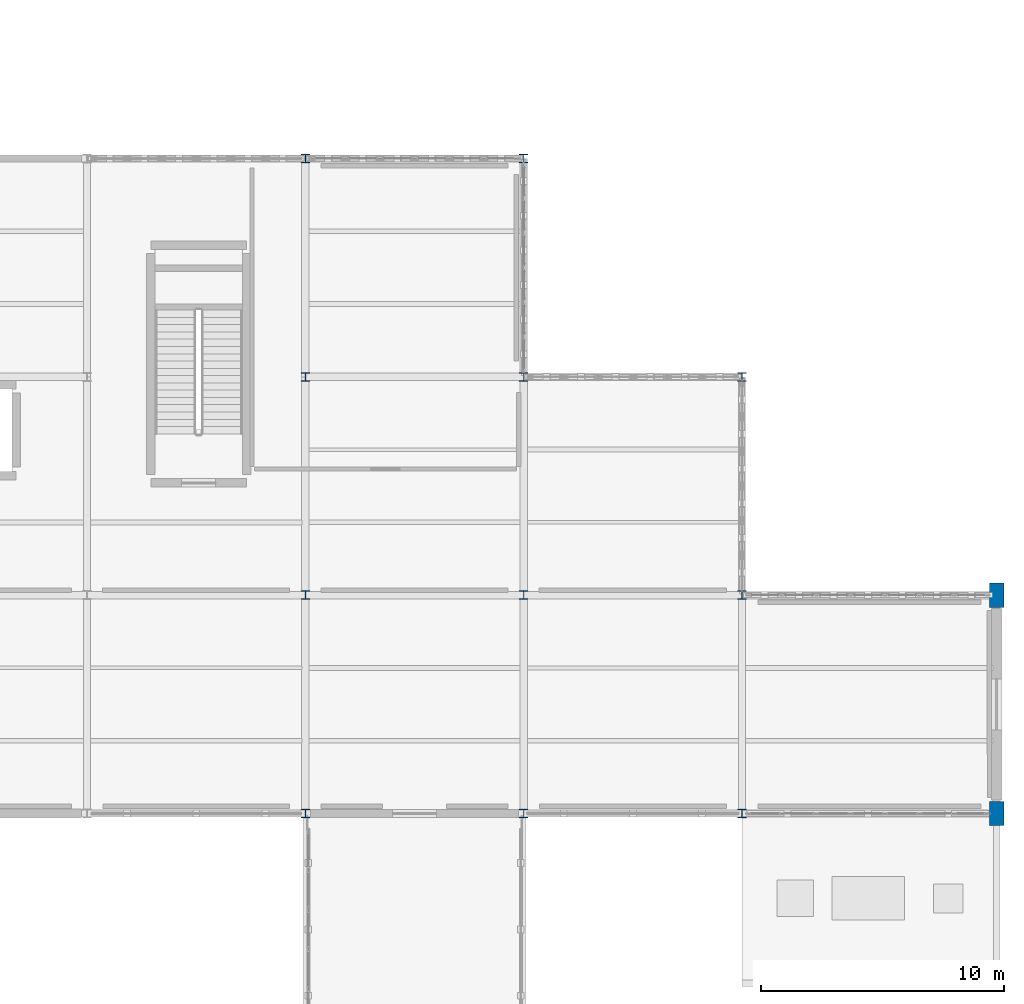
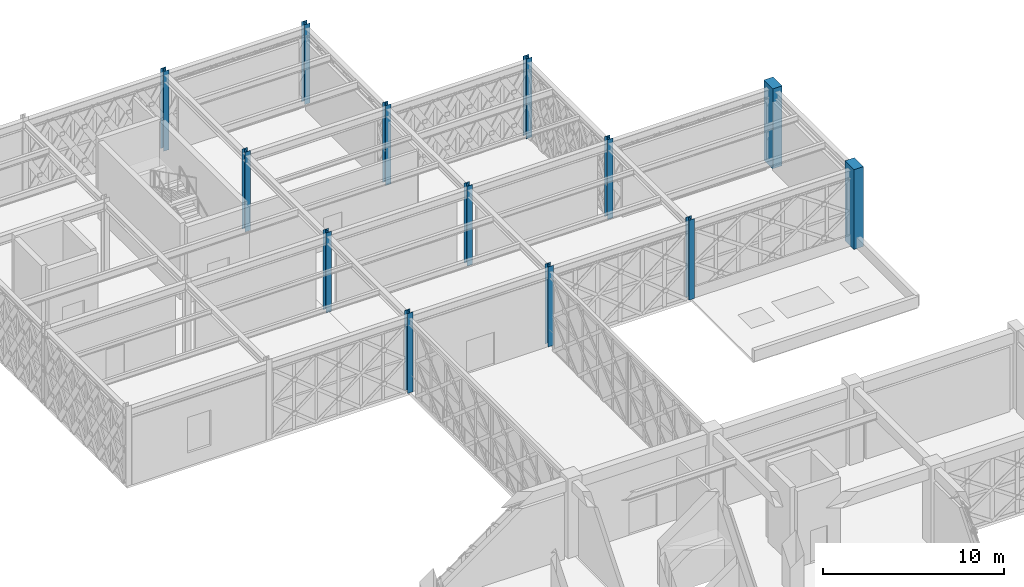
# One storey, part 6 of 166: 13 columns.
"""IFC4 building model written with IfcOpenShell, lengths in metres."""

from ifc_helpers import new_model, si_unit, direction, frame, origin, origin_2d, place, context, subcontext, project, spatial, rectangle, i_section, extrude, material, material_profile, profile_set, type_object, element, save


model = new_model("IFC4")

# Units and contexts
model_context = context("Model", 3, precision=1e-05, world=origin(), true_north=direction((0.0, 1.0)))
body_context = subcontext(model_context, "Body", "Model", "MODEL_VIEW")
ifc_project = project(units=[si_unit("LENGTHUNIT", "METRE"), si_unit("AREAUNIT", "SQUARE_METRE"), si_unit("VOLUMEUNIT", "CUBIC_METRE"), si_unit("PLANEANGLEUNIT", "RADIAN"), si_unit("MASSUNIT", "GRAM", prefix="KILO")], contexts=[model_context])

# Site, building, storey
site_placement = place(None, origin())
site = spatial("IfcSite", under=ifc_project, at=site_placement, CompositionType="ELEMENT")
building_placement = place(site_placement, origin())
building = spatial("IfcBuilding", under=site, at=building_placement, Name="Haizhuo Lancet Aquarium", CompositionType="ELEMENT")
storey_placement = place(building_placement, frame((0.0, 0.0, 5.39990234375)))
storey = spatial("IfcBuildingStorey", under=building, at=storey_placement, Name="L01", CompositionType="ELEMENT", Elevation=5.39990234375)

# Columns
ifc_material_1 = material(Name="Steel S355", Category="steel")
ifc_material_profile_1 = material_profile(ifc_material_1, i_section(OverallWidth=0.35009765625, OverallDepth=0.35009765625, WebThickness=0.011962890625, FlangeThickness=0.01904296875, FilletRadius=0.02001953125, at=origin_2d()), Name="HW 350x350x12x19")
ifc_profile_set_1 = profile_set([ifc_material_profile_1], Name="Steel S355")
column_type_1 = type_object("IfcColumnType", Name="COL-ST-HW350", PredefinedType="COLUMN", material=ifc_profile_set_1)
for number, where, z_axis, x_axis, name in (
    (1, (54.0, 9.0, 0.0), (0.0, 0.0, 1.0), (1.0, 0.0, 0.0), "L01 column V7-COL-136"),
    (2, (54.0, 18.0, 0.0), (0.0, 0.0, 1.0), (1.0, 0.0, 0.0), "L01 column V7-COL-137"),
    (3, (54.0, 27.0, 0.0), (0.0, 0.0, 1.0), (1.0, 0.0, 0.0), "L01 column V7-COL-138"),
    (4, (54.0, 36.0, 0.0), (0.0, 0.0, 1.0), (1.0, 0.0, 0.0), "L01 column V7-COL-139"),
    (5, (63.0, 9.0, 0.0), (0.0, 0.0, 1.0), (1.0, 0.0, 0.0), "L01 column V7-COL-140"),
    (6, (63.0, 18.0, 0.0), (0.0, 0.0, 1.0), (1.0, 0.0, 0.0), "L01 column V7-COL-141"),
    (7, (63.0, 27.0, 0.0), (0.0, 0.0, 1.0), (1.0, 0.0, 0.0), "L01 column V7-COL-142"),
    (8, (63.0, 36.0, 0.0), (0.0, 0.0, 1.0), (1.0, 0.0, 0.0), "L01 column V7-COL-143"),
    (9, (72.0, 9.0, 0.0), (0.0, 0.0, 1.0), (1.0, 0.0, 0.0), "L01 column V7-COL-144"),
    (10, (72.0, 18.0, 0.0), (0.0, 0.0, 1.0), (1.0, 0.0, 0.0), "L01 column V7-COL-145"),
    (11, (72.0, 27.0, 0.0), (0.0, 0.0, 1.0), (1.0, 0.0, 0.0), "L01 column V7-COL-146"),
):
    element("IfcColumn", number, at=place(storey_placement, frame(where, z_axis=z_axis, x_axis=x_axis)), inside=storey, type_object=column_type_1, Name=name, PredefinedType="COLUMN", context=body_context, shape_type="SweptSolid", body=[
        extrude(i_section(OverallWidth=0.35009765625, OverallDepth=0.35009765625, WebThickness=0.011962890625, FlangeThickness=0.01904296875, FilletRadius=0.02001953125, at=origin_2d()), origin(), (0.0, 0.0, 1.0), 5.400146484375),
    ])
ifc_material_2 = material(Name="Concrete C45/55", Category="concrete")
ifc_material_profile_2 = material_profile(ifc_material_2, rectangle(XDim=0.60009765625, YDim=1.0, at=origin_2d()), Name="RC-PIL 600x1000")
ifc_profile_set_2 = profile_set([ifc_material_profile_2], Name="Concrete C45/55")
column_type_2 = type_object("IfcColumnType", Name="PIL-RC-600x1000", PredefinedType="PILASTER", material=ifc_profile_set_2)
for number, where, z_axis, x_axis, name in (
    (12, (82.5, 9.0, 0.0), (0.0, 0.0, 1.0), (1.0, 0.0, 0.0), "L01 column V7-COL-147"),
    (13, (82.5, 18.0, 0.0), (0.0, 0.0, 1.0), (1.0, 0.0, 0.0), "L01 column V7-COL-148"),
):
    element("IfcColumn", number, at=place(storey_placement, frame(where, z_axis=z_axis, x_axis=x_axis)), inside=storey, type_object=column_type_2, Name=name, PredefinedType="PILASTER", context=body_context, shape_type="SweptSolid", body=[
        extrude(rectangle(XDim=0.60009765625, YDim=1.0, at=origin_2d()), origin(), (0.0, 0.0, 1.0), 5.400146484375),
    ])

save(model, "model.ifc")
